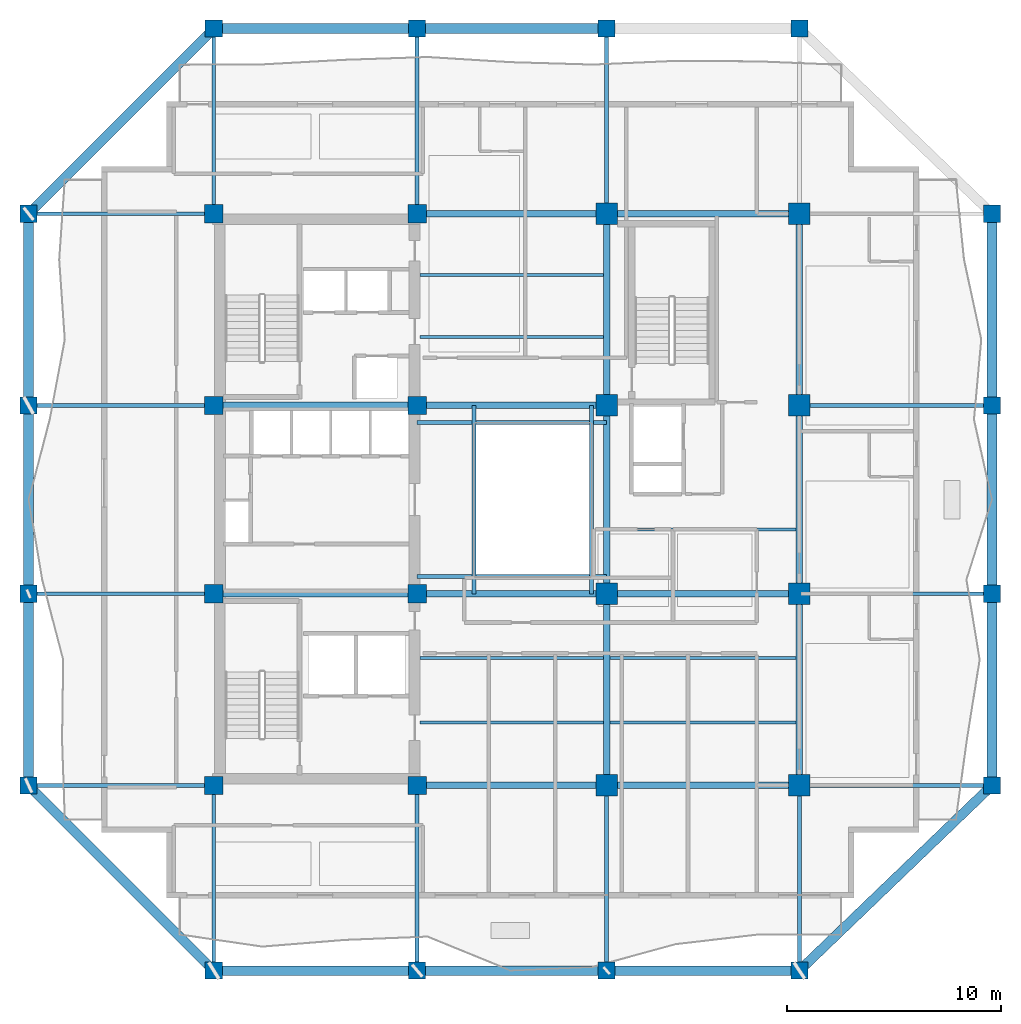
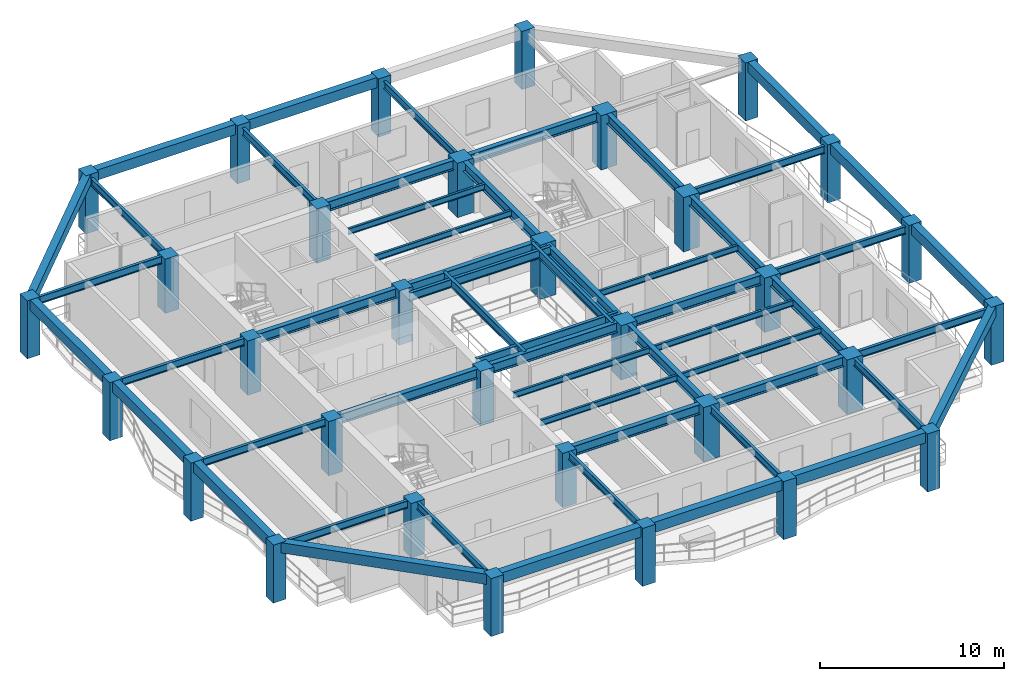
# One storey, part 1 of 10: 54 beams, 32 columns.
"""IFC4 building model written with IfcOpenShell, lengths in metres."""

from ifc_helpers import new_model, si_unit, direction, frame, origin, origin_2d, place, context, subcontext, project, spatial, rectangle, i_section, extrude, material, material_profile, profile_set, type_object, element, save


model = new_model("IFC4")

# Units and contexts
model_context = context("Model", 3, precision=1e-05, world=origin(), true_north=direction((0.0, 1.0)))
body_context = subcontext(model_context, "Body", "Model", "MODEL_VIEW")
ifc_project = project(units=[si_unit("LENGTHUNIT", "METRE"), si_unit("AREAUNIT", "SQUARE_METRE"), si_unit("VOLUMEUNIT", "CUBIC_METRE"), si_unit("PLANEANGLEUNIT", "RADIAN"), si_unit("MASSUNIT", "GRAM", prefix="KILO")], contexts=[model_context])

# Site, building, storey
site_placement = place(None, origin())
site = spatial("IfcSite", under=ifc_project, at=site_placement, CompositionType="ELEMENT")
building_placement = place(site_placement, origin())
building = spatial("IfcBuilding", under=site, at=building_placement, Name="Kundavana Baori Tower", CompositionType="ELEMENT")
storey_placement = place(building_placement, frame((0.0, 0.0, 138.64990234375)))
storey = spatial("IfcBuildingStorey", under=building, at=storey_placement, Name="L33", CompositionType="ELEMENT", Elevation=138.64990234375)

# Columns
ifc_material_1 = material(Name="Concrete C50/60", Category="concrete")
ifc_material_profile_1 = material_profile(ifc_material_1, rectangle(XDim=0.800048828125, YDim=0.800048828125, at=origin_2d()), Name="RC PF 800x800")
ifc_profile_set_1 = profile_set([ifc_material_profile_1], Name="Concrete C50/60")
column_type_1 = type_object("IfcColumnType", Name="COL-PF-800", PredefinedType="COLUMN", material=ifc_profile_set_1)
for number, where, z_axis, x_axis, name in (
    (1, (15.449951171875, 6.60009765625, 0.0), (0.0, 0.0, 1.0), (1.0, 0.0, 0.0), "L33 Stone-Clad Perimeter Frame Column PF-S1"),
    (2, (15.449951171875, 50.60009765625, 0.0), (0.0, 0.0, 1.0), (1.0, 0.0, 0.0), "L33 Stone-Clad Perimeter Frame Column PF-N1"),
    (3, (24.949951171875, 6.60009765625, 0.0), (0.0, 0.0, 1.0), (1.0, 0.0, 0.0), "L33 Stone-Clad Perimeter Frame Column PF-S2"),
    (4, (24.949951171875, 50.60009765625, 0.0), (0.0, 0.0, 1.0), (1.0, 0.0, 0.0), "L33 Stone-Clad Perimeter Frame Column PF-N2"),
    (5, (33.800048828125, 6.60009765625, 0.0), (0.0, 0.0, 1.0), (1.0, 0.0, 0.0), "L33 Stone-Clad Perimeter Frame Column PF-S3"),
    (6, (33.800048828125, 50.60009765625, 0.0), (0.0, 0.0, 1.0), (1.0, 0.0, 0.0), "L33 Stone-Clad Perimeter Frame Column PF-N3"),
    (7, (42.800048828125, 6.60009765625, 0.0), (0.0, 0.0, 1.0), (1.0, 0.0, 0.0), "L33 Stone-Clad Perimeter Frame Column PF-S4"),
    (8, (42.800048828125, 50.60009765625, 0.0), (0.0, 0.0, 1.0), (1.0, 0.0, 0.0), "L33 Stone-Clad Perimeter Frame Column PF-N4"),
    (9, (6.800048828125, 15.25, 0.0), (0.0, 0.0, 1.0), (1.0, 0.0, 0.0), "L33 Stone-Clad Perimeter Frame Column PF-W1"),
    (10, (51.800048828125, 15.25, 0.0), (0.0, 0.0, 1.0), (1.0, 0.0, 0.0), "L33 Stone-Clad Perimeter Frame Column PF-E1"),
    (11, (6.800048828125, 24.199951171875, 0.0), (0.0, 0.0, 1.0), (1.0, 0.0, 0.0), "L33 Stone-Clad Perimeter Frame Column PF-W2"),
    (12, (51.800048828125, 24.199951171875, 0.0), (0.0, 0.0, 1.0), (1.0, 0.0, 0.0), "L33 Stone-Clad Perimeter Frame Column PF-E2"),
    (13, (6.800048828125, 33.0, 0.0), (0.0, 0.0, 1.0), (1.0, 0.0, 0.0), "L33 Stone-Clad Perimeter Frame Column PF-W3"),
    (14, (51.800048828125, 33.0, 0.0), (0.0, 0.0, 1.0), (1.0, 0.0, 0.0), "L33 Stone-Clad Perimeter Frame Column PF-E3"),
    (15, (6.800048828125, 41.949951171875, 0.0), (0.0, 0.0, 1.0), (1.0, 0.0, 0.0), "L33 Stone-Clad Perimeter Frame Column PF-W4"),
    (16, (51.800048828125, 41.949951171875, 0.0), (0.0, 0.0, 1.0), (1.0, 0.0, 0.0), "L33 Stone-Clad Perimeter Frame Column PF-E4"),
):
    element("IfcColumn", number, at=place(storey_placement, frame(where, z_axis=z_axis, x_axis=x_axis)), inside=storey, type_object=column_type_1, Name=name, PredefinedType="COLUMN", context=body_context, shape_type="SweptSolid", body=[
        extrude(rectangle(XDim=0.800048828125, YDim=0.800048828125, at=origin_2d()), origin(), (0.0, 0.0, 1.0), 3.85009765625),
    ])
ifc_material_2 = material(Name="Concrete C50/60", Category="concrete")
ifc_material_profile_2 = material_profile(ifc_material_2, rectangle(XDim=1.0, YDim=1.0, at=origin_2d()), Name="RC 1000x1000")
ifc_profile_set_2 = profile_set([ifc_material_profile_2], Name="Concrete C50/60")
column_type_2 = type_object("IfcColumnType", Name="COL-RC-1000", PredefinedType="COLUMN", material=ifc_profile_set_2)
for number, where, z_axis, x_axis, name in (
    (17, (33.800048828125, 15.25, 0.0), (0.0, 0.0, 1.0), (1.0, 0.0, 0.0), "L33 Interior Column IC-5C"),
    (18, (33.800048828125, 24.199951171875, 0.0), (0.0, 0.0, 1.0), (1.0, 0.0, 0.0), "L33 Interior Column IC-5D"),
    (19, (33.800048828125, 33.0, 0.0), (0.0, 0.0, 1.0), (1.0, 0.0, 0.0), "L33 Interior Column IC-5E"),
    (20, (33.800048828125, 41.949951171875, 0.0), (0.0, 0.0, 1.0), (1.0, 0.0, 0.0), "L33 Interior Column IC-5F"),
    (21, (42.800048828125, 15.25, 0.0), (0.0, 0.0, 1.0), (1.0, 0.0, 0.0), "L33 Interior Column IC-6C"),
    (22, (42.800048828125, 24.199951171875, 0.0), (0.0, 0.0, 1.0), (1.0, 0.0, 0.0), "L33 Interior Column IC-6D"),
    (23, (42.800048828125, 33.0, 0.0), (0.0, 0.0, 1.0), (1.0, 0.0, 0.0), "L33 Interior Column IC-6E"),
    (24, (42.800048828125, 41.949951171875, 0.0), (0.0, 0.0, 1.0), (1.0, 0.0, 0.0), "L33 Interior Column IC-6F"),
):
    element("IfcColumn", number, at=place(storey_placement, frame(where, z_axis=z_axis, x_axis=x_axis)), inside=storey, type_object=column_type_2, Name=name, PredefinedType="COLUMN", context=body_context, shape_type="SweptSolid", body=[
        extrude(rectangle(XDim=1.0, YDim=1.0, at=origin_2d()), origin(), (0.0, 0.0, 1.0), 3.60009765625),
    ])
ifc_material_3 = material(Name="Concrete C50/60", Category="concrete")
ifc_material_profile_3 = material_profile(ifc_material_3, rectangle(XDim=0.85009765625, YDim=0.85009765625, at=origin_2d()), Name="RC 850x850")
ifc_profile_set_3 = profile_set([ifc_material_profile_3], Name="Concrete C50/60")
column_type_3 = type_object("IfcColumnType", Name="COL-RC-850", PredefinedType="COLUMN", material=ifc_profile_set_3)
for number, where, z_axis, x_axis, name in (
    (25, (15.449951171875, 15.25, 0.0), (0.0, 0.0, 1.0), (1.0, 0.0, 0.0), "L33 Interior Column IC-3C"),
    (26, (15.449951171875, 24.199951171875, 0.0), (0.0, 0.0, 1.0), (1.0, 0.0, 0.0), "L33 Interior Column IC-3D"),
    (27, (15.449951171875, 33.0, 0.0), (0.0, 0.0, 1.0), (1.0, 0.0, 0.0), "L33 Interior Column IC-3E"),
    (28, (15.449951171875, 41.949951171875, 0.0), (0.0, 0.0, 1.0), (1.0, 0.0, 0.0), "L33 Interior Column IC-3F"),
    (29, (24.949951171875, 15.25, 0.0), (0.0, 0.0, 1.0), (1.0, 0.0, 0.0), "L33 Interior Column IC-4C"),
    (30, (24.949951171875, 24.199951171875, 0.0), (0.0, 0.0, 1.0), (1.0, 0.0, 0.0), "L33 Interior Column IC-4D"),
    (31, (24.949951171875, 33.0, 0.0), (0.0, 0.0, 1.0), (1.0, 0.0, 0.0), "L33 Interior Column IC-4E"),
    (32, (24.949951171875, 41.949951171875, 0.0), (0.0, 0.0, 1.0), (1.0, 0.0, 0.0), "L33 Interior Column IC-4F"),
):
    element("IfcColumn", number, at=place(storey_placement, frame(where, z_axis=z_axis, x_axis=x_axis)), inside=storey, type_object=column_type_3, Name=name, PredefinedType="COLUMN", context=body_context, shape_type="SweptSolid", body=[
        extrude(rectangle(XDim=0.85009765625, YDim=0.85009765625, at=origin_2d()), origin(), (0.0, 0.0, 1.0), 3.60009765625),
    ])

# Beams
ifc_material_4 = material(Name="Structural Steel S355JR", Category="steel")
ifc_material_profile_4 = material_profile(ifc_material_4, i_section(OverallWidth=0.139892578125, OverallDepth=0.39990234375, WebThickness=0.0087890625, FlangeThickness=0.01611328125, FilletRadius=0.013916015625, at=origin_2d()), Name="ISMB 400")
ifc_profile_set_4 = profile_set([ifc_material_profile_4], Name="Structural Steel S355JR")
beam_type_1 = type_object("IfcBeamType", Name="BM-JST-400", PredefinedType="JOIST", material=ifc_profile_set_4)
for number, where, z_axis, x_axis, name in (
    (33, (25.080078125, 18.199951171875, 3.400146484375), (1.0, 0.0, 0.0), (0.0, 1.0, 0.0), "L33 Central Bay Composite Floor Joist C1"),
    (34, (25.080078125, 21.199951171875, 3.400146484375), (1.0, 0.0, 0.0), (0.0, 1.0, 0.0), "L33 Central Bay Composite Floor Joist C2"),
    (35, (25.080078125, 36.199951171875, 3.400146484375), (1.0, 0.0, 0.0), (0.0, 1.0, 0.0), "L33 Central Bay Composite Floor Joist C3"),
    (36, (25.080078125, 39.10009765625, 3.400146484375), (1.0, 0.0, 0.0), (0.0, 1.0, 0.0), "L33 Central Bay Composite Floor Joist C4"),
):
    element("IfcBeam", number, at=place(storey_placement, frame(where, z_axis=z_axis, x_axis=x_axis)), inside=storey, type_object=beam_type_1, Name=name, PredefinedType="JOIST", context=body_context, shape_type="SweptSolid", body=[
        extrude(i_section(OverallWidth=0.139892578125, OverallDepth=0.39990234375, WebThickness=0.0087890625, FlangeThickness=0.01611328125, FilletRadius=0.013916015625, at=origin_2d()), origin(), (0.0, 0.0, 1.0), 8.56982421875),
    ])
for number, where, z_axis, x_axis, name in (
    (37, (33.949951171875, 18.199951171875, 3.400146484375), (1.0, 0.0, 0.0), (0.0, 1.0, 0.0), "L33 East Bay Composite Floor Joist E1"),
    (38, (33.949951171875, 21.199951171875, 3.400146484375), (1.0, 0.0, 0.0), (0.0, 1.0, 0.0), "L33 East Bay Composite Floor Joist E2"),
    (39, (33.949951171875, 27.199951171875, 3.400146484375), (1.0, 0.0, 0.0), (0.0, 1.0, 0.0), "L33 East Bay Composite Floor Joist E3"),
):
    element("IfcBeam", number, at=place(storey_placement, frame(where, z_axis=z_axis, x_axis=x_axis)), inside=storey, type_object=beam_type_1, Name=name, PredefinedType="JOIST", context=body_context, shape_type="SweptSolid", body=[
        extrude(i_section(OverallWidth=0.139892578125, OverallDepth=0.39990234375, WebThickness=0.0087890625, FlangeThickness=0.01611328125, FilletRadius=0.013916015625, at=origin_2d()), origin(), (0.0, 0.0, 1.0), 8.699951171875),
    ])
ifc_material_5 = material(Name="Concrete C50/60", Category="concrete")
ifc_material_profile_5 = material_profile(ifc_material_5, rectangle(XDim=0.449951171875, YDim=0.679931640625, at=origin_2d()), Name="RC BM 450x680")
ifc_profile_set_5 = profile_set([ifc_material_profile_5], Name="Concrete C50/60")
beam_type_2 = type_object("IfcBeamType", Name="BM-PF-680", PredefinedType="SPANDREL", material=ifc_profile_set_5)
beam_1_placement = place(storey_placement, frame((15.449951171875, 6.60009765625, 3.510009765625), z_axis=(1.0, 0.0, 0.0), x_axis=(0.0, 1.0, 0.0)))
element("IfcBeam", 40, at=beam_1_placement, inside=storey, type_object=beam_type_2, Name="L33 Perimeter Frame Ring Beam S1", PredefinedType="SPANDREL", context=body_context, shape_type="SweptSolid", body=[
    extrude(rectangle(XDim=0.449951171875, YDim=0.679931640625, at=origin_2d()), origin(), (0.0, 0.0, 1.0), 9.5),
])
beam_2_placement = place(storey_placement, frame((24.949951171875, 6.60009765625, 3.510009765625), z_axis=(1.0, 0.0, 0.0), x_axis=(0.0, 1.0, 0.0)))
element("IfcBeam", 41, at=beam_2_placement, inside=storey, type_object=beam_type_2, Name="L33 Perimeter Frame Ring Beam S2", PredefinedType="SPANDREL", context=body_context, shape_type="SweptSolid", body=[
    extrude(rectangle(XDim=0.449951171875, YDim=0.679931640625, at=origin_2d()), origin(), (0.0, 0.0, 1.0), 8.85009765625),
])
beam_3_placement = place(storey_placement, frame((33.800048828125, 6.60009765625, 3.510009765625), z_axis=(1.0, 0.0, 0.0), x_axis=(0.0, 1.0, 0.0)))
element("IfcBeam", 42, at=beam_3_placement, inside=storey, type_object=beam_type_2, Name="L33 Perimeter Frame Ring Beam S3", PredefinedType="SPANDREL", context=body_context, shape_type="SweptSolid", body=[
    extrude(rectangle(XDim=0.449951171875, YDim=0.679931640625, at=origin_2d()), origin(), (0.0, 0.0, 1.0), 9.0),
])
beam_4_placement = place(storey_placement, frame((15.449951171875, 50.60009765625, 3.510009765625), z_axis=(1.0, 0.0, 0.0), x_axis=(0.0, 1.0, 0.0)))
element("IfcBeam", 43, at=beam_4_placement, inside=storey, type_object=beam_type_2, Name="L33 Perimeter Frame Ring Beam N1", PredefinedType="SPANDREL", context=body_context, shape_type="SweptSolid", body=[
    extrude(rectangle(XDim=0.449951171875, YDim=0.679931640625, at=origin_2d()), origin(), (0.0, 0.0, 1.0), 9.5),
])
beam_5_placement = place(storey_placement, frame((24.949951171875, 50.60009765625, 3.510009765625), z_axis=(1.0, 0.0, 0.0), x_axis=(0.0, 1.0, 0.0)))
element("IfcBeam", 44, at=beam_5_placement, inside=storey, type_object=beam_type_2, Name="L33 Perimeter Frame Ring Beam N2", PredefinedType="SPANDREL", context=body_context, shape_type="SweptSolid", body=[
    extrude(rectangle(XDim=0.449951171875, YDim=0.679931640625, at=origin_2d()), origin(), (0.0, 0.0, 1.0), 8.85009765625),
])
beam_6_placement = place(storey_placement, frame((6.800048828125, 15.25, 3.510009765625), z_axis=(0.0, 1.0, 0.0), x_axis=(-1.0, 0.0, 0.0)))
element("IfcBeam", 45, at=beam_6_placement, inside=storey, type_object=beam_type_2, Name="L33 Perimeter Frame Ring Beam W1", PredefinedType="SPANDREL", context=body_context, shape_type="SweptSolid", body=[
    extrude(rectangle(XDim=0.449951171875, YDim=0.679931640625, at=origin_2d()), origin(), (0.0, 0.0, 1.0), 8.949951171875),
])
beam_7_placement = place(storey_placement, frame((6.800048828125, 24.199951171875, 3.510009765625), z_axis=(0.0, 1.0, 0.0), x_axis=(-1.0, 0.0, 0.0)))
element("IfcBeam", 46, at=beam_7_placement, inside=storey, type_object=beam_type_2, Name="L33 Perimeter Frame Ring Beam W2", PredefinedType="SPANDREL", context=body_context, shape_type="SweptSolid", body=[
    extrude(rectangle(XDim=0.449951171875, YDim=0.679931640625, at=origin_2d()), origin(), (0.0, 0.0, 1.0), 8.800048828125),
])
for number, where, z_axis, x_axis, name in (
    (47, (6.800048828125, 33.0, 3.510009765625), (0.0, 1.0, 0.0), (-1.0, 0.0, 0.0), "L33 Perimeter Frame Ring Beam W3"),
    (48, (51.800048828125, 15.25, 3.510009765625), (0.0, 1.0, 0.0), (-1.0, 0.0, 0.0), "L33 Perimeter Frame Ring Beam E1"),
):
    element("IfcBeam", number, at=place(storey_placement, frame(where, z_axis=z_axis, x_axis=x_axis)), inside=storey, type_object=beam_type_2, Name=name, PredefinedType="SPANDREL", context=body_context, shape_type="SweptSolid", body=[
        extrude(rectangle(XDim=0.449951171875, YDim=0.679931640625, at=origin_2d()), origin(), (0.0, 0.0, 1.0), 8.949951171875),
    ])
beam_8_placement = place(storey_placement, frame((51.800048828125, 24.199951171875, 3.510009765625), z_axis=(0.0, 1.0, 0.0), x_axis=(-1.0, 0.0, 0.0)))
element("IfcBeam", 49, at=beam_8_placement, inside=storey, type_object=beam_type_2, Name="L33 Perimeter Frame Ring Beam E2", PredefinedType="SPANDREL", context=body_context, shape_type="SweptSolid", body=[
    extrude(rectangle(XDim=0.449951171875, YDim=0.679931640625, at=origin_2d()), origin(), (0.0, 0.0, 1.0), 8.800048828125),
])
beam_9_placement = place(storey_placement, frame((51.800048828125, 33.0, 3.510009765625), z_axis=(0.0, 1.0, 0.0), x_axis=(-1.0, 0.0, 0.0)))
element("IfcBeam", 50, at=beam_9_placement, inside=storey, type_object=beam_type_2, Name="L33 Perimeter Frame Ring Beam E3", PredefinedType="SPANDREL", context=body_context, shape_type="SweptSolid", body=[
    extrude(rectangle(XDim=0.449951171875, YDim=0.679931640625, at=origin_2d()), origin(), (0.0, 0.0, 1.0), 8.949951171875),
])
beam_10_placement = place(storey_placement, frame((15.449951171875, 6.60009765625, 3.510009765625), z_axis=(-0.707106781187, 0.707106781187, 0.0), x_axis=(-0.707106781187, -0.707106781187, 0.0)))
element("IfcBeam", 51, at=beam_10_placement, inside=storey, type_object=beam_type_2, Name="L33 Notched Corner Perimeter Beam SW", PredefinedType="SPANDREL", context=body_context, shape_type="SweptSolid", body=[
    extrude(rectangle(XDim=0.449951171875, YDim=0.679931640625, at=origin_2d()), origin(), (0.0, 0.0, 1.0), 12.23291015625),
])
beam_11_placement = place(storey_placement, frame((42.800048828125, 6.60009765625, 3.510009765625), z_axis=(0.720990894297, 0.692944536266, 0.0), x_axis=(-0.692944536266, 0.720990894297, 0.0)))
element("IfcBeam", 52, at=beam_11_placement, inside=storey, type_object=beam_type_2, Name="L33 Notched Corner Perimeter Beam SE", PredefinedType="SPANDREL", context=body_context, shape_type="SweptSolid", body=[
    extrude(rectangle(XDim=0.449951171875, YDim=0.679931640625, at=origin_2d()), origin(), (0.0, 0.0, 1.0), 12.48291015625),
])
beam_12_placement = place(storey_placement, frame((15.449951171875, 50.60009765625, 3.510009765625), z_axis=(-0.70709680233, -0.707116759903, 0.0), x_axis=(0.707116759903, -0.70709680233, 0.0)))
element("IfcBeam", 53, at=beam_12_placement, inside=storey, type_object=beam_type_2, Name="L33 Notched Corner Perimeter Beam NW", PredefinedType="SPANDREL", context=body_context, shape_type="SweptSolid", body=[
    extrude(rectangle(XDim=0.449951171875, YDim=0.679931640625, at=origin_2d()), origin(), (0.0, 0.0, 1.0), 12.23291015625),
])
ifc_material_6 = material(Name="Structural Steel S355JR", Category="steel")
ifc_material_profile_6 = material_profile(ifc_material_6, i_section(OverallWidth=0.18994140625, OverallDepth=0.550048828125, WebThickness=0.01123046875, FlangeThickness=0.019287109375, FilletRadius=0.01806640625, at=origin_2d()), Name="ISMB 550")
ifc_profile_set_6 = profile_set([ifc_material_profile_6], Name="Structural Steel S355JR")
beam_type_3 = type_object("IfcBeamType", Name="BM-ST-550", PredefinedType="BEAM", material=ifc_profile_set_6)
for number, where, z_axis, x_axis, name in (
    (54, (27.60009765625, 24.199951171875, 3.3251953125), (0.0, 1.0, 0.0), (-1.0, 0.0, 0.0), "L33 Atrium West Edge Beam"),
    (55, (33.10009765625, 24.199951171875, 3.3251953125), (0.0, 1.0, 0.0), (-1.0, 0.0, 0.0), "L33 Atrium East Edge Beam"),
):
    element("IfcBeam", number, at=place(storey_placement, frame(where, z_axis=z_axis, x_axis=x_axis)), inside=storey, type_object=beam_type_3, Name=name, PredefinedType="BEAM", context=body_context, shape_type="SweptSolid", body=[
        extrude(i_section(OverallWidth=0.18994140625, OverallDepth=0.550048828125, WebThickness=0.01123046875, FlangeThickness=0.019287109375, FilletRadius=0.01806640625, at=origin_2d()), origin(), (0.0, 0.0, 1.0), 8.800048828125),
    ])
for number, where, z_axis, x_axis, name in (
    (56, (24.949951171875, 25.0, 3.3251953125), (1.0, 0.0, 0.0), (0.0, 1.0, 0.0), "L33 Atrium South Edge Beam"),
    (57, (24.949951171875, 32.199951171875, 3.3251953125), (1.0, 0.0, 0.0), (0.0, 1.0, 0.0), "L33 Atrium North Edge Beam"),
):
    element("IfcBeam", number, at=place(storey_placement, frame(where, z_axis=z_axis, x_axis=x_axis)), inside=storey, type_object=beam_type_3, Name=name, PredefinedType="BEAM", context=body_context, shape_type="SweptSolid", body=[
        extrude(i_section(OverallWidth=0.18994140625, OverallDepth=0.550048828125, WebThickness=0.01123046875, FlangeThickness=0.019287109375, FilletRadius=0.01806640625, at=origin_2d()), origin(), (0.0, 0.0, 1.0), 8.85009765625),
    ])
ifc_material_7 = material(Name="Structural Steel S355JR", Category="steel")
ifc_material_profile_7 = material_profile(ifc_material_7, i_section(OverallWidth=0.300048828125, OverallDepth=0.64990234375, WebThickness=0.013427734375, FlangeThickness=0.02197265625, FilletRadius=0.02392578125, at=origin_2d()), Name="NPB 650x300x155")
ifc_profile_set_7 = profile_set([ifc_material_profile_7], Name="Structural Steel S355JR")
beam_type_4 = type_object("IfcBeamType", Name="BM-ST-650", PredefinedType="BEAM", material=ifc_profile_set_7)
beam_13_placement = place(storey_placement, frame((24.949951171875, 15.25, 3.275146484375), z_axis=(1.0, 0.0, 0.0), x_axis=(0.0, 1.0, 0.0)))
element("IfcBeam", 58, at=beam_13_placement, inside=storey, type_object=beam_type_4, Name="L33 Primary Grid Girder GX-1-2", PredefinedType="BEAM", context=body_context, shape_type="SweptSolid", body=[
    extrude(i_section(OverallWidth=0.300048828125, OverallDepth=0.64990234375, WebThickness=0.013427734375, FlangeThickness=0.02197265625, FilletRadius=0.02392578125, at=origin_2d()), origin(), (0.0, 0.0, 1.0), 8.85009765625),
])
beam_14_placement = place(storey_placement, frame((33.800048828125, 15.25, 3.275146484375), z_axis=(1.0, 0.0, 0.0), x_axis=(0.0, 1.0, 0.0)))
element("IfcBeam", 59, at=beam_14_placement, inside=storey, type_object=beam_type_4, Name="L33 Primary Grid Girder GX-1-3", PredefinedType="BEAM", context=body_context, shape_type="SweptSolid", body=[
    extrude(i_section(OverallWidth=0.300048828125, OverallDepth=0.64990234375, WebThickness=0.013427734375, FlangeThickness=0.02197265625, FilletRadius=0.02392578125, at=origin_2d()), origin(), (0.0, 0.0, 1.0), 9.0),
])
beam_15_placement = place(storey_placement, frame((15.449951171875, 24.199951171875, 3.275146484375), z_axis=(1.0, 0.0, 0.0), x_axis=(0.0, 1.0, 0.0)))
element("IfcBeam", 60, at=beam_15_placement, inside=storey, type_object=beam_type_4, Name="L33 Primary Grid Girder GX-2-1", PredefinedType="BEAM", context=body_context, shape_type="SweptSolid", body=[
    extrude(i_section(OverallWidth=0.300048828125, OverallDepth=0.64990234375, WebThickness=0.013427734375, FlangeThickness=0.02197265625, FilletRadius=0.02392578125, at=origin_2d()), origin(), (0.0, 0.0, 1.0), 9.5),
])
beam_16_placement = place(storey_placement, frame((24.949951171875, 24.199951171875, 3.275146484375), z_axis=(1.0, 0.0, 0.0), x_axis=(0.0, 1.0, 0.0)))
element("IfcBeam", 61, at=beam_16_placement, inside=storey, type_object=beam_type_4, Name="L33 Primary Grid Girder GX-2-2", PredefinedType="BEAM", context=body_context, shape_type="SweptSolid", body=[
    extrude(i_section(OverallWidth=0.300048828125, OverallDepth=0.64990234375, WebThickness=0.013427734375, FlangeThickness=0.02197265625, FilletRadius=0.02392578125, at=origin_2d()), origin(), (0.0, 0.0, 1.0), 8.85009765625),
])
beam_17_placement = place(storey_placement, frame((33.800048828125, 24.199951171875, 3.275146484375), z_axis=(1.0, 0.0, 0.0), x_axis=(0.0, 1.0, 0.0)))
element("IfcBeam", 62, at=beam_17_placement, inside=storey, type_object=beam_type_4, Name="L33 Primary Grid Girder GX-2-3", PredefinedType="BEAM", context=body_context, shape_type="SweptSolid", body=[
    extrude(i_section(OverallWidth=0.300048828125, OverallDepth=0.64990234375, WebThickness=0.013427734375, FlangeThickness=0.02197265625, FilletRadius=0.02392578125, at=origin_2d()), origin(), (0.0, 0.0, 1.0), 9.0),
])
beam_18_placement = place(storey_placement, frame((15.449951171875, 33.0, 3.275146484375), z_axis=(1.0, 0.0, 0.0), x_axis=(0.0, 1.0, 0.0)))
element("IfcBeam", 63, at=beam_18_placement, inside=storey, type_object=beam_type_4, Name="L33 Primary Grid Girder GX-3-1", PredefinedType="BEAM", context=body_context, shape_type="SweptSolid", body=[
    extrude(i_section(OverallWidth=0.300048828125, OverallDepth=0.64990234375, WebThickness=0.013427734375, FlangeThickness=0.02197265625, FilletRadius=0.02392578125, at=origin_2d()), origin(), (0.0, 0.0, 1.0), 9.5),
])
for number, where, z_axis, x_axis, name in (
    (64, (24.949951171875, 33.0, 3.275146484375), (1.0, 0.0, 0.0), (0.0, 1.0, 0.0), "L33 Primary Grid Girder GX-3-2"),
    (65, (24.949951171875, 41.949951171875, 3.275146484375), (1.0, 0.0, 0.0), (0.0, 1.0, 0.0), "L33 Primary Grid Girder GX-4-2"),
):
    element("IfcBeam", number, at=place(storey_placement, frame(where, z_axis=z_axis, x_axis=x_axis)), inside=storey, type_object=beam_type_4, Name=name, PredefinedType="BEAM", context=body_context, shape_type="SweptSolid", body=[
        extrude(i_section(OverallWidth=0.300048828125, OverallDepth=0.64990234375, WebThickness=0.013427734375, FlangeThickness=0.02197265625, FilletRadius=0.02392578125, at=origin_2d()), origin(), (0.0, 0.0, 1.0), 8.85009765625),
    ])
beam_19_placement = place(storey_placement, frame((33.800048828125, 41.949951171875, 3.275146484375), z_axis=(1.0, 0.0, 0.0), x_axis=(0.0, 1.0, 0.0)))
element("IfcBeam", 66, at=beam_19_placement, inside=storey, type_object=beam_type_4, Name="L33 Primary Grid Girder GX-4-3", PredefinedType="BEAM", context=body_context, shape_type="SweptSolid", body=[
    extrude(i_section(OverallWidth=0.300048828125, OverallDepth=0.64990234375, WebThickness=0.013427734375, FlangeThickness=0.02197265625, FilletRadius=0.02392578125, at=origin_2d()), origin(), (0.0, 0.0, 1.0), 9.0),
])
beam_20_placement = place(storey_placement, frame((33.800048828125, 15.25, 3.275146484375), z_axis=(0.0, 1.0, 0.0), x_axis=(-1.0, 0.0, 0.0)))
element("IfcBeam", 67, at=beam_20_placement, inside=storey, type_object=beam_type_4, Name="L33 Primary Grid Girder GY-3-1", PredefinedType="BEAM", context=body_context, shape_type="SweptSolid", body=[
    extrude(i_section(OverallWidth=0.300048828125, OverallDepth=0.64990234375, WebThickness=0.013427734375, FlangeThickness=0.02197265625, FilletRadius=0.02392578125, at=origin_2d()), origin(), (0.0, 0.0, 1.0), 8.949951171875),
])
beam_21_placement = place(storey_placement, frame((33.800048828125, 24.199951171875, 3.275146484375), z_axis=(0.0, 1.0, 0.0), x_axis=(-1.0, 0.0, 0.0)))
element("IfcBeam", 68, at=beam_21_placement, inside=storey, type_object=beam_type_4, Name="L33 Primary Grid Girder GY-3-2", PredefinedType="BEAM", context=body_context, shape_type="SweptSolid", body=[
    extrude(i_section(OverallWidth=0.300048828125, OverallDepth=0.64990234375, WebThickness=0.013427734375, FlangeThickness=0.02197265625, FilletRadius=0.02392578125, at=origin_2d()), origin(), (0.0, 0.0, 1.0), 8.800048828125),
])
for number, where, z_axis, x_axis, name in (
    (69, (33.800048828125, 33.0, 3.275146484375), (0.0, 1.0, 0.0), (-1.0, 0.0, 0.0), "L33 Primary Grid Girder GY-3-3"),
    (70, (42.800048828125, 15.25, 3.275146484375), (0.0, 1.0, 0.0), (-1.0, 0.0, 0.0), "L33 Primary Grid Girder GY-4-1"),
):
    element("IfcBeam", number, at=place(storey_placement, frame(where, z_axis=z_axis, x_axis=x_axis)), inside=storey, type_object=beam_type_4, Name=name, PredefinedType="BEAM", context=body_context, shape_type="SweptSolid", body=[
        extrude(i_section(OverallWidth=0.300048828125, OverallDepth=0.64990234375, WebThickness=0.013427734375, FlangeThickness=0.02197265625, FilletRadius=0.02392578125, at=origin_2d()), origin(), (0.0, 0.0, 1.0), 8.949951171875),
    ])
beam_22_placement = place(storey_placement, frame((42.800048828125, 24.199951171875, 3.275146484375), z_axis=(0.0, 1.0, 0.0), x_axis=(-1.0, 0.0, 0.0)))
element("IfcBeam", 71, at=beam_22_placement, inside=storey, type_object=beam_type_4, Name="L33 Primary Grid Girder GY-4-2", PredefinedType="BEAM", context=body_context, shape_type="SweptSolid", body=[
    extrude(i_section(OverallWidth=0.300048828125, OverallDepth=0.64990234375, WebThickness=0.013427734375, FlangeThickness=0.02197265625, FilletRadius=0.02392578125, at=origin_2d()), origin(), (0.0, 0.0, 1.0), 8.800048828125),
])
beam_23_placement = place(storey_placement, frame((42.800048828125, 33.0, 3.275146484375), z_axis=(0.0, 1.0, 0.0), x_axis=(-1.0, 0.0, 0.0)))
element("IfcBeam", 72, at=beam_23_placement, inside=storey, type_object=beam_type_4, Name="L33 Primary Grid Girder GY-4-3", PredefinedType="BEAM", context=body_context, shape_type="SweptSolid", body=[
    extrude(i_section(OverallWidth=0.300048828125, OverallDepth=0.64990234375, WebThickness=0.013427734375, FlangeThickness=0.02197265625, FilletRadius=0.02392578125, at=origin_2d()), origin(), (0.0, 0.0, 1.0), 8.949951171875),
])
ifc_material_8 = material(Name="Structural Steel S355JR", Category="steel")
ifc_material_profile_8 = material_profile(ifc_material_8, i_section(OverallWidth=0.179931640625, OverallDepth=0.5, WebThickness=0.01025390625, FlangeThickness=0.01708984375, FilletRadius=0.01708984375, at=origin_2d()), Name="ISMB 500")
ifc_profile_set_8 = profile_set([ifc_material_profile_8], Name="Structural Steel S355JR")
beam_type_5 = type_object("IfcBeamType", Name="BM-TIE-500", PredefinedType="BEAM", material=ifc_profile_set_8)
beam_24_placement = place(storey_placement, frame((15.449951171875, 15.25, 3.35009765625), z_axis=(0.0, -1.0, 0.0), x_axis=(1.0, 0.0, 0.0)))
element("IfcBeam", 73, at=beam_24_placement, inside=storey, type_object=beam_type_5, Name="L33 South Radial Loggia Tie Beam S1", PredefinedType="BEAM", context=body_context, shape_type="SweptSolid", body=[
    extrude(i_section(OverallWidth=0.179931640625, OverallDepth=0.5, WebThickness=0.01025390625, FlangeThickness=0.01708984375, FilletRadius=0.01708984375, at=origin_2d()), origin(), (0.0, 0.0, 1.0), 8.64990234375),
])
beam_25_placement = place(storey_placement, frame((15.449951171875, 41.949951171875, 3.35009765625), z_axis=(0.0, 1.0, 0.0), x_axis=(-1.0, 0.0, 0.0)))
element("IfcBeam", 74, at=beam_25_placement, inside=storey, type_object=beam_type_5, Name="L33 North Radial Loggia Tie Beam N1", PredefinedType="BEAM", context=body_context, shape_type="SweptSolid", body=[
    extrude(i_section(OverallWidth=0.179931640625, OverallDepth=0.5, WebThickness=0.01025390625, FlangeThickness=0.01708984375, FilletRadius=0.01708984375, at=origin_2d()), origin(), (0.0, 0.0, 1.0), 8.650146484375),
])
beam_26_placement = place(storey_placement, frame((24.949951171875, 15.25, 3.35009765625), z_axis=(0.0, -1.0, 0.0), x_axis=(1.0, 0.0, 0.0)))
element("IfcBeam", 75, at=beam_26_placement, inside=storey, type_object=beam_type_5, Name="L33 South Radial Loggia Tie Beam S2", PredefinedType="BEAM", context=body_context, shape_type="SweptSolid", body=[
    extrude(i_section(OverallWidth=0.179931640625, OverallDepth=0.5, WebThickness=0.01025390625, FlangeThickness=0.01708984375, FilletRadius=0.01708984375, at=origin_2d()), origin(), (0.0, 0.0, 1.0), 8.64990234375),
])
beam_27_placement = place(storey_placement, frame((24.949951171875, 41.949951171875, 3.35009765625), z_axis=(0.0, 1.0, 0.0), x_axis=(-1.0, 0.0, 0.0)))
element("IfcBeam", 76, at=beam_27_placement, inside=storey, type_object=beam_type_5, Name="L33 North Radial Loggia Tie Beam N2", PredefinedType="BEAM", context=body_context, shape_type="SweptSolid", body=[
    extrude(i_section(OverallWidth=0.179931640625, OverallDepth=0.5, WebThickness=0.01025390625, FlangeThickness=0.01708984375, FilletRadius=0.01708984375, at=origin_2d()), origin(), (0.0, 0.0, 1.0), 8.650146484375),
])
beam_28_placement = place(storey_placement, frame((33.800048828125, 15.25, 3.35009765625), z_axis=(0.0, -1.0, 0.0), x_axis=(1.0, 0.0, 0.0)))
element("IfcBeam", 77, at=beam_28_placement, inside=storey, type_object=beam_type_5, Name="L33 South Radial Loggia Tie Beam S3", PredefinedType="BEAM", context=body_context, shape_type="SweptSolid", body=[
    extrude(i_section(OverallWidth=0.179931640625, OverallDepth=0.5, WebThickness=0.01025390625, FlangeThickness=0.01708984375, FilletRadius=0.01708984375, at=origin_2d()), origin(), (0.0, 0.0, 1.0), 8.64990234375),
])
beam_29_placement = place(storey_placement, frame((33.800048828125, 41.949951171875, 3.35009765625), z_axis=(0.0, 1.0, 0.0), x_axis=(-1.0, 0.0, 0.0)))
element("IfcBeam", 78, at=beam_29_placement, inside=storey, type_object=beam_type_5, Name="L33 North Radial Loggia Tie Beam N3", PredefinedType="BEAM", context=body_context, shape_type="SweptSolid", body=[
    extrude(i_section(OverallWidth=0.179931640625, OverallDepth=0.5, WebThickness=0.01025390625, FlangeThickness=0.01708984375, FilletRadius=0.01708984375, at=origin_2d()), origin(), (0.0, 0.0, 1.0), 8.650146484375),
])
for number, where, z_axis, x_axis, name in (
    (79, (42.800048828125, 15.25, 3.35009765625), (0.0, -1.0, 0.0), (1.0, 0.0, 0.0), "L33 South Radial Loggia Tie Beam S4"),
    (80, (15.449951171875, 15.25, 3.35009765625), (-1.0, 0.0, 0.0), (0.0, -1.0, 0.0), "L33 West Radial Loggia Tie Beam W1"),
):
    element("IfcBeam", number, at=place(storey_placement, frame(where, z_axis=z_axis, x_axis=x_axis)), inside=storey, type_object=beam_type_5, Name=name, PredefinedType="BEAM", context=body_context, shape_type="SweptSolid", body=[
        extrude(i_section(OverallWidth=0.179931640625, OverallDepth=0.5, WebThickness=0.01025390625, FlangeThickness=0.01708984375, FilletRadius=0.01708984375, at=origin_2d()), origin(), (0.0, 0.0, 1.0), 8.64990234375),
    ])
beam_30_placement = place(storey_placement, frame((42.800048828125, 15.25, 3.35009765625), z_axis=(1.0, 0.0, 0.0), x_axis=(0.0, 1.0, 0.0)))
element("IfcBeam", 81, at=beam_30_placement, inside=storey, type_object=beam_type_5, Name="L33 East Radial Loggia Tie Beam E1", PredefinedType="BEAM", context=body_context, shape_type="SweptSolid", body=[
    extrude(i_section(OverallWidth=0.179931640625, OverallDepth=0.5, WebThickness=0.01025390625, FlangeThickness=0.01708984375, FilletRadius=0.01708984375, at=origin_2d()), origin(), (0.0, 0.0, 1.0), 9.0),
])
beam_31_placement = place(storey_placement, frame((15.449951171875, 24.199951171875, 3.35009765625), z_axis=(-1.0, 0.0, 0.0), x_axis=(0.0, -1.0, 0.0)))
element("IfcBeam", 82, at=beam_31_placement, inside=storey, type_object=beam_type_5, Name="L33 West Radial Loggia Tie Beam W2", PredefinedType="BEAM", context=body_context, shape_type="SweptSolid", body=[
    extrude(i_section(OverallWidth=0.179931640625, OverallDepth=0.5, WebThickness=0.01025390625, FlangeThickness=0.01708984375, FilletRadius=0.01708984375, at=origin_2d()), origin(), (0.0, 0.0, 1.0), 8.64990234375),
])
beam_32_placement = place(storey_placement, frame((42.800048828125, 24.199951171875, 3.35009765625), z_axis=(1.0, 0.0, 0.0), x_axis=(0.0, 1.0, 0.0)))
element("IfcBeam", 83, at=beam_32_placement, inside=storey, type_object=beam_type_5, Name="L33 East Radial Loggia Tie Beam E2", PredefinedType="BEAM", context=body_context, shape_type="SweptSolid", body=[
    extrude(i_section(OverallWidth=0.179931640625, OverallDepth=0.5, WebThickness=0.01025390625, FlangeThickness=0.01708984375, FilletRadius=0.01708984375, at=origin_2d()), origin(), (0.0, 0.0, 1.0), 9.0),
])
beam_33_placement = place(storey_placement, frame((15.449951171875, 33.0, 3.35009765625), z_axis=(-1.0, 0.0, 0.0), x_axis=(0.0, -1.0, 0.0)))
element("IfcBeam", 84, at=beam_33_placement, inside=storey, type_object=beam_type_5, Name="L33 West Radial Loggia Tie Beam W3", PredefinedType="BEAM", context=body_context, shape_type="SweptSolid", body=[
    extrude(i_section(OverallWidth=0.179931640625, OverallDepth=0.5, WebThickness=0.01025390625, FlangeThickness=0.01708984375, FilletRadius=0.01708984375, at=origin_2d()), origin(), (0.0, 0.0, 1.0), 8.64990234375),
])
beam_34_placement = place(storey_placement, frame((42.800048828125, 33.0, 3.35009765625), z_axis=(1.0, 0.0, 0.0), x_axis=(0.0, 1.0, 0.0)))
element("IfcBeam", 85, at=beam_34_placement, inside=storey, type_object=beam_type_5, Name="L33 East Radial Loggia Tie Beam E3", PredefinedType="BEAM", context=body_context, shape_type="SweptSolid", body=[
    extrude(i_section(OverallWidth=0.179931640625, OverallDepth=0.5, WebThickness=0.01025390625, FlangeThickness=0.01708984375, FilletRadius=0.01708984375, at=origin_2d()), origin(), (0.0, 0.0, 1.0), 9.0),
])
beam_35_placement = place(storey_placement, frame((15.449951171875, 41.949951171875, 3.35009765625), z_axis=(-1.0, 0.0, 0.0), x_axis=(0.0, -1.0, 0.0)))
element("IfcBeam", 86, at=beam_35_placement, inside=storey, type_object=beam_type_5, Name="L33 West Radial Loggia Tie Beam W4", PredefinedType="BEAM", context=body_context, shape_type="SweptSolid", body=[
    extrude(i_section(OverallWidth=0.179931640625, OverallDepth=0.5, WebThickness=0.01025390625, FlangeThickness=0.01708984375, FilletRadius=0.01708984375, at=origin_2d()), origin(), (0.0, 0.0, 1.0), 8.64990234375),
])

save(model, "model.ifc")
